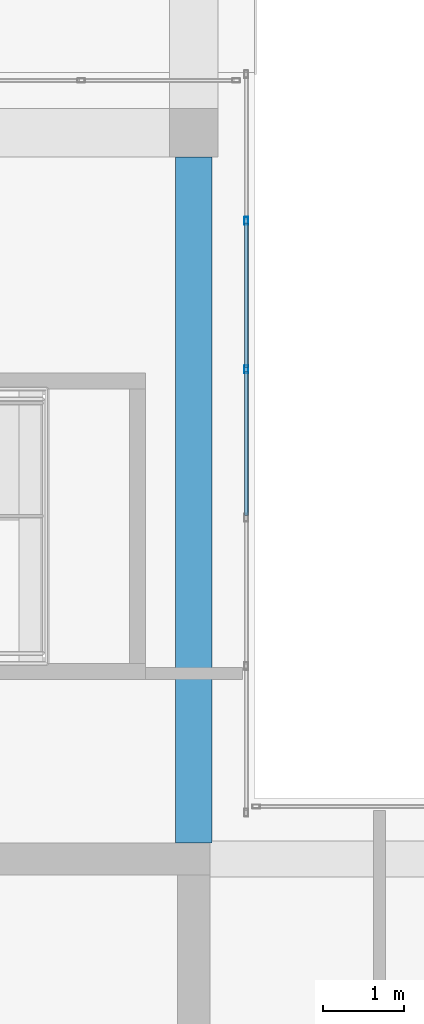
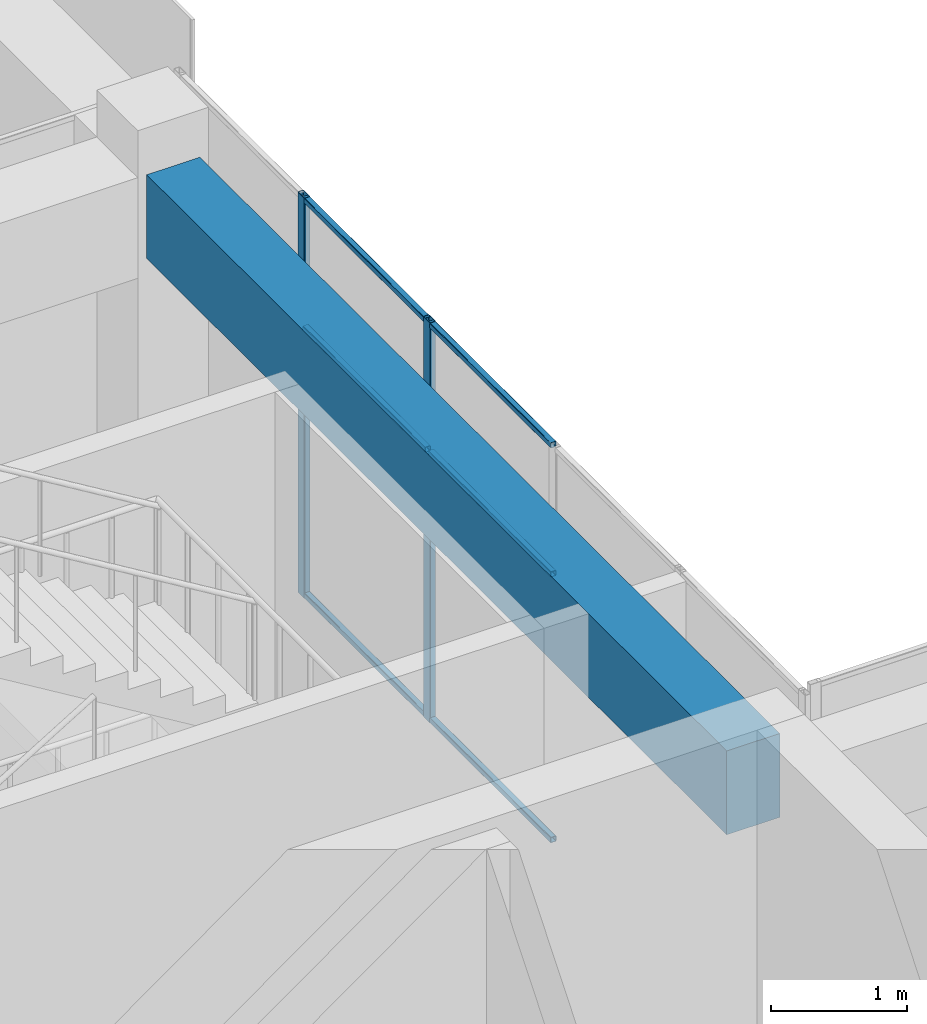
# One storey, part 27 of 35: 8 members, 1 beam, 1 element without a shape of its own.
"""IFC4 building model written with IfcOpenShell, lengths in metres."""

from ifc_helpers import new_model, si_unit, direction, frame, origin, origin_2d, place, context, subcontext, project, spatial, rectangle, hollow_rectangle, extrude, material, layer, layer_set, material_profile, profile_set, type_object, element, aggregate, save


model = new_model("IFC4")

# Units and contexts
model_context = context("Model", 3, precision=1e-05, world=origin(), true_north=direction((0.0, 1.0)))
body_context = subcontext(model_context, "Body", "Model", "MODEL_VIEW")
ifc_project = project(units=[si_unit("LENGTHUNIT", "METRE"), si_unit("AREAUNIT", "SQUARE_METRE"), si_unit("VOLUMEUNIT", "CUBIC_METRE"), si_unit("PLANEANGLEUNIT", "RADIAN"), si_unit("MASSUNIT", "GRAM", prefix="KILO")], contexts=[model_context])

# Site, building, storey
site_placement = place(None, origin())
site = spatial("IfcSite", under=ifc_project, at=site_placement, CompositionType="ELEMENT")
building_placement = place(site_placement, origin())
building = spatial("IfcBuilding", under=site, at=building_placement, Name="Tuart Plaza Theatre", CompositionType="ELEMENT")
storey_placement = place(building_placement, frame((0.0, 0.0, 49.5)))
storey = spatial("IfcBuildingStorey", under=building, at=storey_placement, Name="L12", CompositionType="ELEMENT", Elevation=49.5)

# Beam
ifc_material_1 = material(Name="Concrete N40 (40 MPa)", Category="concrete")
ifc_material_profile_1 = material_profile(ifc_material_1, rectangle(XDim=0.449951171875, YDim=0.75, at=origin_2d()), Name="BEAM 450x750 Concrete N40 (40 MPa)")
ifc_profile_set_1 = profile_set([ifc_material_profile_1], Name="Concrete N40 (40 MPa)")
beam_type = type_object("IfcBeamType", Name="BEAM 450x750 Concrete N40 (40 MPa)", PredefinedType="BEAM", material=ifc_profile_set_1)
beam_placement = place(storey_placement, frame((141.0, 83.199951171875, 3.205078125), z_axis=(0.0, 1.0, 0.0), x_axis=(-1.0, 0.0, 0.0)))
element("IfcBeam", 1, at=beam_placement, inside=storey, type_object=beam_type, Name="RB305", PredefinedType="BEAM", context=body_context, shape_type="SweptSolid", body=[
    extrude(rectangle(XDim=0.449951171875, YDim=0.75, at=origin_2d()), origin(), (0.0, 0.0, 1.0), 8.5),
])

# Curtain wall, members
ifc_material_2 = material(Name="Aluminium and glass", Category="aluminium")
ifc_layer = layer(ifc_material_2, 0.10009765625)
ifc_layer_set = layer_set([ifc_layer], Name="CURTAIN WALL 2000 module")
curtain_wall_type = type_object("IfcCurtainWallType", Name="CURTAIN WALL 2000 module", PredefinedType="NOTDEFINED", material=ifc_layer_set)
curtain_wall_placement = place(storey_placement, origin())
curtain_wall = element("IfcCurtainWall", 2, at=curtain_wall_placement, inside=storey, type_object=curtain_wall_type, Name="CW104", PredefinedType="NOTDEFINED")
ifc_material_3 = material(Name="Aluminium 6063-T5", Category="aluminium")
ifc_material_profile_2 = material_profile(ifc_material_3, hollow_rectangle(XDim=0.050048828125, YDim=0.10009765625, WallThickness=0.00390625, InnerFilletRadius=0.00390625, OuterFilletRadius=0.008056640625, at=origin_2d()), Name="RHS 100x50x4")
ifc_profile_set_2 = profile_set([ifc_material_profile_2], Name="Aluminium 6063-T5")
member_type_1 = type_object("IfcMemberType", Name="MULLION RHS 100x50x4", PredefinedType="MULLION", material=ifc_profile_set_2)
member_1_placement = place(storey_placement, frame((141.64990234375, 89.070068359375, 0.0), z_axis=(0.0, 0.0, 1.0), x_axis=(-1.0, 0.0, 0.0)))
member_1 = element("IfcMember", 3, at=member_1_placement, type_object=member_type_1, Name="CW104 mullion 4", PredefinedType="MULLION", context=body_context, shape_type="SweptSolid", body=[
    extrude(hollow_rectangle(XDim=0.050048828125, YDim=0.10009765625, WallThickness=0.00390625, InnerFilletRadius=0.00390625, OuterFilletRadius=0.008056640625, at=origin_2d()), origin(), (0.0, 0.0, 1.0), 3.580078125),
])
member_2_placement = place(storey_placement, frame((141.64990234375, 90.909912109375, 0.0), z_axis=(0.0, 0.0, 1.0), x_axis=(-1.0, 0.0, 0.0)))
member_2 = element("IfcMember", 4, at=member_2_placement, type_object=member_type_1, Name="CW104 mullion 5", PredefinedType="MULLION", context=body_context, shape_type="SweptSolid", body=[
    extrude(hollow_rectangle(XDim=0.050048828125, YDim=0.10009765625, WallThickness=0.00390625, InnerFilletRadius=0.00390625, OuterFilletRadius=0.008056640625, at=origin_2d()), origin(), (0.0, 0.0, 1.0), 3.580078125),
])
ifc_material_4 = material(Name="Aluminium 6063-T5", Category="aluminium")
ifc_material_profile_3 = material_profile(ifc_material_4, hollow_rectangle(XDim=0.050048828125, YDim=0.050048828125, WallThickness=0.00390625, InnerFilletRadius=0.00390625, OuterFilletRadius=0.008056640625, at=origin_2d()), Name="RHS 50x50x4")
ifc_profile_set_3 = profile_set([ifc_material_profile_3], Name="Aluminium 6063-T5")
member_type_2 = type_object("IfcMemberType", Name="TRANSOM RHS 50x50x4", PredefinedType="USERDEFINED", material=ifc_profile_set_3)
member_3_placement = place(storey_placement, frame((141.64990234375, 87.2548828125, 0.02490234375), z_axis=(0.0, 1.0, 0.0), x_axis=(-1.0, 0.0, 0.0)))
member_3 = element("IfcMember", 5, at=member_3_placement, type_object=member_type_2, Name="CW104 transom 3.1", ObjectType="TRANSOM", PredefinedType="USERDEFINED", context=body_context, shape_type="SweptSolid", body=[
    extrude(hollow_rectangle(XDim=0.050048828125, YDim=0.050048828125, WallThickness=0.00390625, InnerFilletRadius=0.00390625, OuterFilletRadius=0.008056640625, at=origin_2d()), origin(), (0.0, 0.0, 1.0), 1.7900390625),
])
member_4_placement = place(storey_placement, frame((141.64990234375, 87.2548828125, 2.39990234375), z_axis=(0.0, 1.0, 0.0), x_axis=(-1.0, 0.0, 0.0)))
member_4 = element("IfcMember", 6, at=member_4_placement, type_object=member_type_2, Name="CW104 transom 3.2", ObjectType="TRANSOM", PredefinedType="USERDEFINED", context=body_context, shape_type="SweptSolid", body=[
    extrude(hollow_rectangle(XDim=0.050048828125, YDim=0.050048828125, WallThickness=0.00390625, InnerFilletRadius=0.00390625, OuterFilletRadius=0.008056640625, at=origin_2d()), origin(), (0.0, 0.0, 1.0), 1.7900390625),
])
member_5_placement = place(storey_placement, frame((141.64990234375, 87.2548828125, 3.554931640625), z_axis=(0.0, 1.0, 0.0), x_axis=(-1.0, 0.0, 0.0)))
member_5 = element("IfcMember", 7, at=member_5_placement, type_object=member_type_2, Name="CW104 transom 3.3", ObjectType="TRANSOM", PredefinedType="USERDEFINED", context=body_context, shape_type="SweptSolid", body=[
    extrude(hollow_rectangle(XDim=0.050048828125, YDim=0.050048828125, WallThickness=0.00390625, InnerFilletRadius=0.00390625, OuterFilletRadius=0.008056640625, at=origin_2d()), origin(), (0.0, 0.0, 1.0), 1.7900390625),
])
member_6_placement = place(storey_placement, frame((141.64990234375, 89.094970703125, 0.02490234375), z_axis=(0.0, 1.0, 0.0), x_axis=(-1.0, 0.0, 0.0)))
member_6 = element("IfcMember", 8, at=member_6_placement, type_object=member_type_2, Name="CW104 transom 4.1", ObjectType="TRANSOM", PredefinedType="USERDEFINED", context=body_context, shape_type="SweptSolid", body=[
    extrude(hollow_rectangle(XDim=0.050048828125, YDim=0.050048828125, WallThickness=0.00390625, InnerFilletRadius=0.00390625, OuterFilletRadius=0.008056640625, at=origin_2d()), origin(), (0.0, 0.0, 1.0), 1.7900390625),
])
member_7_placement = place(storey_placement, frame((141.64990234375, 89.094970703125, 2.39990234375), z_axis=(0.0, 1.0, 0.0), x_axis=(-1.0, 0.0, 0.0)))
member_7 = element("IfcMember", 9, at=member_7_placement, type_object=member_type_2, Name="CW104 transom 4.2", ObjectType="TRANSOM", PredefinedType="USERDEFINED", context=body_context, shape_type="SweptSolid", body=[
    extrude(hollow_rectangle(XDim=0.050048828125, YDim=0.050048828125, WallThickness=0.00390625, InnerFilletRadius=0.00390625, OuterFilletRadius=0.008056640625, at=origin_2d()), origin(), (0.0, 0.0, 1.0), 1.7900390625),
])
member_8_placement = place(storey_placement, frame((141.64990234375, 89.094970703125, 3.554931640625), z_axis=(0.0, 1.0, 0.0), x_axis=(-1.0, 0.0, 0.0)))
member_8 = element("IfcMember", 10, at=member_8_placement, type_object=member_type_2, Name="CW104 transom 4.3", ObjectType="TRANSOM", PredefinedType="USERDEFINED", context=body_context, shape_type="SweptSolid", body=[
    extrude(hollow_rectangle(XDim=0.050048828125, YDim=0.050048828125, WallThickness=0.00390625, InnerFilletRadius=0.00390625, OuterFilletRadius=0.008056640625, at=origin_2d()), origin(), (0.0, 0.0, 1.0), 1.7900390625),
])
aggregate(curtain_wall, [member_1, member_2, member_3, member_4, member_5, member_6, member_7, member_8])

save(model, "model.ifc")
